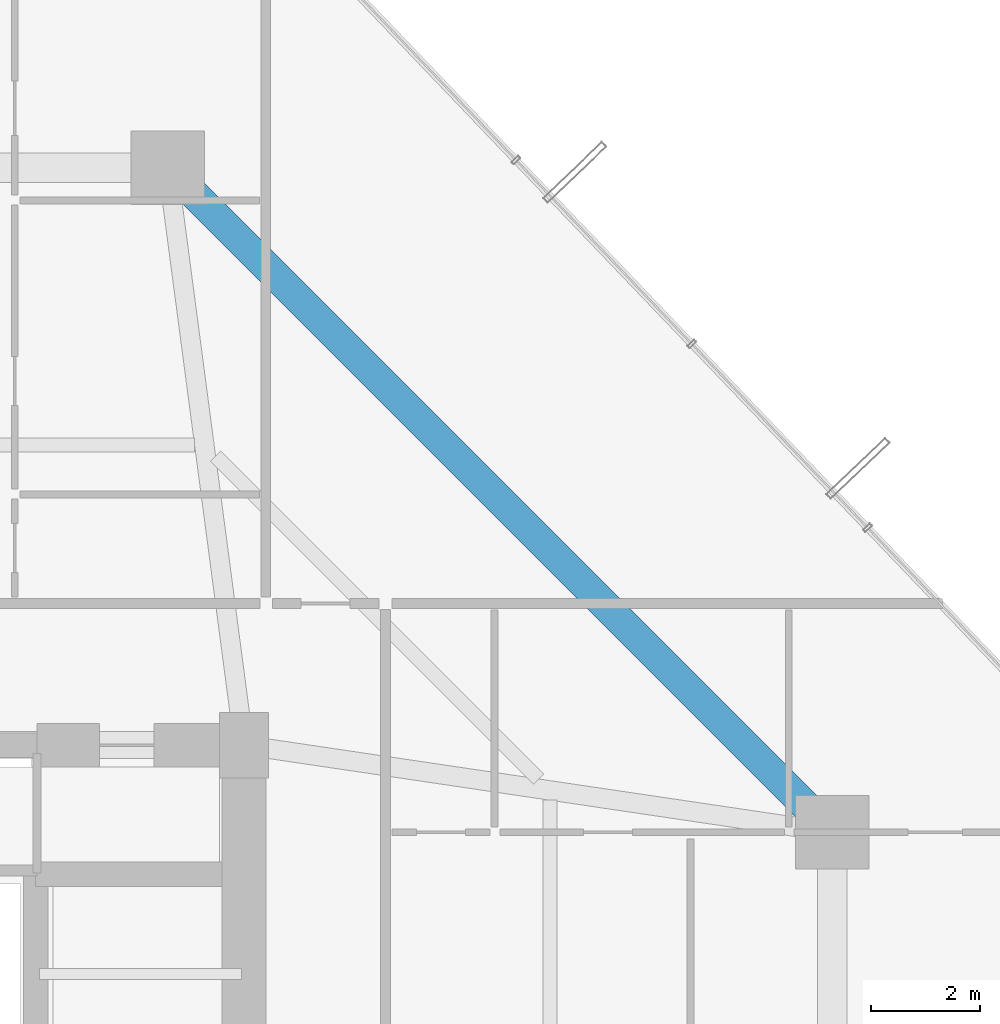
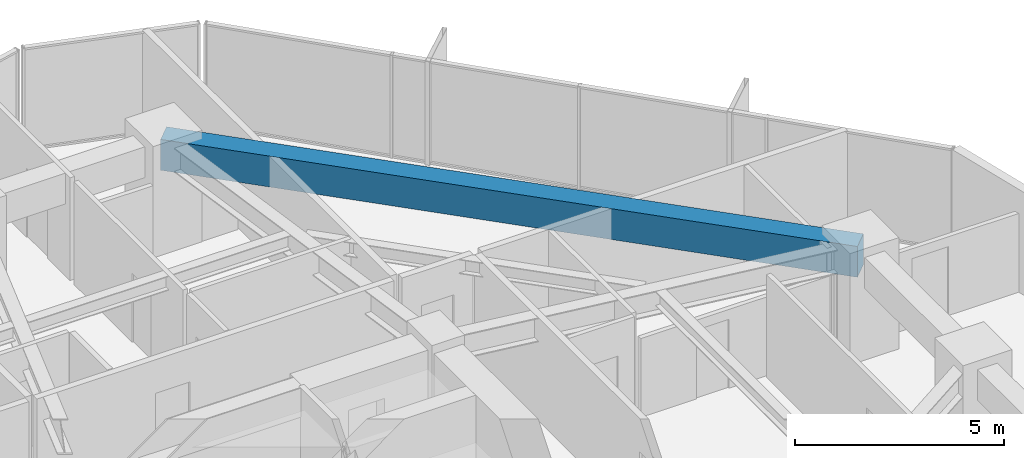
# One storey, part 27 of 37: 1 beam.
"""IFC4 building model written with IfcOpenShell, lengths in metres."""

import ifcopenshell
import ifcopenshell.guid

model = None  # the IFC model being written
_history = None  # IfcOwnerHistory: only IFC2X3 demands one
_inside = {}  # id of a spatial element -> (the spatial element, [elements in it])
_under = {}  # id of a project, library or spatial element -> (it, [spatial elements below it])
_declared = {}  # id of a project -> (the project, [libraries it declares])
_typed = {}  # id of a type object -> (the type object, [elements of that type])
_made_of = {}  # id of a material, layer set ... -> (it, [elements and type objects made of it])


def new_model(schema):
    """Start an empty IFC model of exactly this schema.

    Asked for "IFC4X3", IfcOpenShell would pick the latest addendum, in which some entities
    have other attributes; the version numbers below select the first issue.
    IFC2X3 requires an IfcOwnerHistory on every rooted entity: one is made here for all.
    """
    global model, _history
    if schema == "IFC4X3":
        model = ifcopenshell.file(schema_version=(4, 3, 0, 0))
    else:
        model = ifcopenshell.file(schema=schema)
    _inside.clear()
    _under.clear()
    _declared.clear()
    _typed.clear()
    _made_of.clear()
    _history = None
    if model.schema == "IFC2X3":
        org = make("IfcOrganization", Name="unknown")
        user = make(
            "IfcPersonAndOrganization",
            ThePerson=make("IfcPerson", FamilyName="unknown"),
            TheOrganization=org,
        )
        app = make(
            "IfcApplication",
            ApplicationDeveloper=org,
            Version="unknown",
            ApplicationFullName="unknown",
            ApplicationIdentifier="unknown",
        )
        _history = make(
            "IfcOwnerHistory",
            OwningUser=user,
            OwningApplication=app,
            ChangeAction="ADDED",
            CreationDate=0,
        )
    return model


def make(cls, **values):
    """One entity of the class cls with the attributes given. An attribute that is None is left unset."""
    return model.create_entity(
        cls, **{name: value for name, value in values.items() if value is not None}
    )


def rooted(cls, **values):
    """An entity with a GlobalId (a new one), such as an element, a storey or a relation."""
    return make(cls, GlobalId=ifcopenshell.guid.new(), OwnerHistory=_history, **values)


def si_unit(unit_type, name, prefix=None):
    """IfcSIUnit, for example si_unit("LENGTHUNIT", "METRE", prefix="MILLI")."""
    return make("IfcSIUnit", UnitType=unit_type, Prefix=prefix, Name=name)


def assignment(units):
    """IfcUnitAssignment: the units of a project."""
    return None if units is None else make("IfcUnitAssignment", Units=units)


def point(xyz):
    """IfcCartesianPoint."""
    return None if xyz is None else make("IfcCartesianPoint", Coordinates=xyz)


def direction(xyz):
    """IfcDirection."""
    return None if xyz is None else make("IfcDirection", DirectionRatios=xyz)


def frame(location, z_axis=None, x_axis=None):
    """IfcAxis2Placement3D, a coordinate frame: its origin and axes. An axis left out is left unset."""
    return make(
        "IfcAxis2Placement3D",
        Location=point(location),
        Axis=direction(z_axis),
        RefDirection=direction(x_axis),
    )


def frame_2d(location, x_axis=None):
    """IfcAxis2Placement2D, a coordinate frame in the plane: its origin and x axis."""
    return make(
        "IfcAxis2Placement2D", Location=point(location), RefDirection=direction(x_axis)
    )


def origin():
    """The frame at (0, 0, 0) with its axes left unset."""
    return frame((0.0, 0.0, 0.0))


def origin_2d():
    """The frame at (0, 0) in the plane with its x axis left unset."""
    return frame_2d((0.0, 0.0))


def place(relative_to, where):
    """IfcLocalPlacement: puts the frame where relative to a parent placement (None: the world)."""
    return make(
        "IfcLocalPlacement", PlacementRelTo=relative_to, RelativePlacement=where
    )


def context(
    kind, dimensions, precision=None, world=None, true_north=None, identifier=None
):
    """IfcGeometricRepresentationContext, for example the 3D "Model" context."""
    return make(
        "IfcGeometricRepresentationContext",
        ContextIdentifier=identifier,
        ContextType=kind,
        CoordinateSpaceDimension=dimensions,
        Precision=precision,
        WorldCoordinateSystem=world,
        TrueNorth=true_north,
    )


def subcontext(parent, identifier, kind, view, scale=None):
    """IfcGeometricRepresentationSubContext, for example "Body" below "Model"."""
    return make(
        "IfcGeometricRepresentationSubContext",
        ContextIdentifier=identifier,
        ContextType=kind,
        ParentContext=parent,
        TargetScale=scale,
        TargetView=view,
    )


def project(units=None, contexts=None):
    """IfcProject with its units and contexts."""
    return rooted(
        "IfcProject",
        Name="project",
        RepresentationContexts=contexts,
        UnitsInContext=assignment(units),
    )


def spatial(cls, under=None, at=None, **own):
    """A site, building, storey or space (cls), placed at a placement, below another one or the project."""
    s = rooted(cls, ObjectPlacement=at, **own)
    if under is not None:
        _under.setdefault(under.id(), (under, []))[1].append(s)
    return s


def profile(cls, at=None, kind="AREA", **sizes):
    """A parametric profile (cls). Its sizes go by their IFC names, for example OverallWidth=200.0."""
    return make(cls, ProfileType=kind, Position=at, **sizes)


def rectangle(**sizes):
    """IfcRectangleProfileDef."""
    return profile("IfcRectangleProfileDef", **sizes)


def extrude(swept, where, along, depth):
    """IfcExtrudedAreaSolid: the profile swept, set in the frame where, extruded along a direction by depth."""
    return make(
        "IfcExtrudedAreaSolid",
        SweptArea=swept,
        Position=where,
        ExtrudedDirection=direction(along),
        Depth=depth,
    )


def shape(context_of_items, identifier, shape_type, items):
    """IfcShapeRepresentation: the items that make up one representation, for example the "Body"."""
    return make(
        "IfcShapeRepresentation",
        ContextOfItems=context_of_items,
        RepresentationIdentifier=identifier,
        RepresentationType=shape_type,
        Items=items,
    )


def material(Name=None, Category=None):
    """IfcMaterial."""
    return make("IfcMaterial", Name=Name, Category=Category)


def material_profile(
    of_material, cross_section, Name=None, Category=None, Priority=None
):
    """IfcMaterialProfile: a cross section and its material."""
    return make(
        "IfcMaterialProfile",
        Name=Name,
        Material=of_material,
        Profile=cross_section,
        Priority=Priority,
        Category=Category,
    )


def profile_set(profiles, Name=None, composite=None):
    """IfcMaterialProfileSet."""
    return make(
        "IfcMaterialProfileSet",
        Name=Name,
        MaterialProfiles=profiles,
        CompositeProfile=composite,
    )


def made_of(thing, what):
    """Note that an element or type object is made of a material, layer set ...; save() writes the relation."""
    if what is not None:
        _made_of.setdefault(what.id(), (what, []))[1].append(thing)
    return thing


def type_object(cls, material=None, **own):
    """A type object (cls), such as IfcWallType, which elements share."""
    return made_of(rooted(cls, **own), material)


def element(
    cls,
    number,
    at=None,
    inside=None,
    cuts=None,
    type_object=None,
    material=None,
    context=None,
    identifier="Body",
    shape_type=None,
    held_by="IfcProductDefinitionShape",
    body=None,
    shapes=None,
    **own,
):
    """One element of the class cls, such as IfcWall. Its Tag is "e" and its number.

    at: its placement. inside: the storey or other place that contains it. cuts: it is an
    opening in that element (IfcRelVoidsElement). A single representation is given by context,
    identifier, shape_type and body (its items); several are given by shapes. held_by: the class
    of the entity that holds the representations. save() writes the other relations.
    """
    e = rooted(cls, Tag="e%d" % number, ObjectPlacement=at, **own)
    if body is not None:
        shapes = [shape(context, identifier, shape_type, body)]
    if shapes is not None:
        e.Representation = make(held_by, Representations=shapes)
    if inside is not None:
        _inside.setdefault(inside.id(), (inside, []))[1].append(e)
    if cuts is not None:
        rooted(
            "IfcRelVoidsElement", RelatingBuildingElement=cuts, RelatedOpeningElement=e
        )
    if type_object is not None:
        _typed.setdefault(type_object.id(), (type_object, []))[1].append(e)
    return made_of(e, material)


def aggregate(whole, parts):
    """IfcRelAggregates: a whole, such as a stair, and the parts it consists of."""
    return rooted("IfcRelAggregates", RelatingObject=whole, RelatedObjects=parts)


def save(model, path):
    """Write the relations noted so far, then the file.

    IfcRelAggregates (storeys below a building ...), IfcRelContainedInSpatialStructure (elements
    in a storey), IfcRelDefinesByType, IfcRelAssociatesMaterial and IfcRelDeclares: one each for
    every whole, place, type object, material and project.
    """
    for whole, parts in _under.values():
        aggregate(whole, parts)
    for where, things in _inside.values():
        rooted(
            "IfcRelContainedInSpatialStructure",
            RelatedElements=things,
            RelatingStructure=where,
        )
    for kind, things in _typed.values():
        rooted("IfcRelDefinesByType", RelatedObjects=things, RelatingType=kind)
    for what, things in _made_of.values():
        rooted("IfcRelAssociatesMaterial", RelatedObjects=things, RelatingMaterial=what)
    for by, libraries in _declared.values():
        rooted("IfcRelDeclares", RelatingContext=by, RelatedDefinitions=libraries)
    model.write(path)


model = new_model("IFC4")

# Units and contexts
model_context = context("Model", 3, precision=1e-05, world=origin(), true_north=direction((0.0, 1.0)))
body_context = subcontext(model_context, "Body", "Model", "MODEL_VIEW")
ifc_project = project(units=[si_unit("LENGTHUNIT", "METRE"), si_unit("AREAUNIT", "SQUARE_METRE"), si_unit("VOLUMEUNIT", "CUBIC_METRE"), si_unit("PLANEANGLEUNIT", "RADIAN"), si_unit("MASSUNIT", "GRAM", prefix="KILO")], contexts=[model_context])

# Site, building, storey
site_placement = place(None, origin())
site = spatial("IfcSite", under=ifc_project, at=site_placement, CompositionType="ELEMENT")
building_placement = place(site_placement, origin())
building = spatial("IfcBuilding", under=site, at=building_placement, Name="Veraguas Prism Commons", CompositionType="ELEMENT")
storey_placement = place(building_placement, frame((0.0, 0.0, 70.60009765625)))
storey = spatial("IfcBuildingStorey", under=building, at=storey_placement, Name="L19", CompositionType="ELEMENT", Elevation=70.60009765625)

# Beam
ifc_material = material(Name="Concrete C50/60", Category="concrete")
ifc_material_profile = material_profile(ifc_material, rectangle(XDim=0.550048828125, YDim=0.89990234375, at=origin_2d()), Name="RC550X900")
ifc_profile_set = profile_set([ifc_material_profile], Name="Concrete C50/60")
beam_type = type_object("IfcBeamType", Name="Perimeter Spandrel Lower RC 550x900", PredefinedType="SPANDREL", material=ifc_profile_set)
beam_placement = place(storey_placement, frame((41.60009765625, 29.39990234375, 2.5498046875), z_axis=(-0.707106781187, 0.707106781187, 0.0), x_axis=(-0.707106781187, -0.707106781187, 0.0)))
element("IfcBeam", 1, at=beam_placement, inside=storey, type_object=beam_type, Name="Perimeter Spandrel Beam L19-SP03", PredefinedType="SPANDREL", context=body_context, shape_type="SweptSolid", body=[
    extrude(rectangle(XDim=0.550048828125, YDim=0.89990234375, at=origin_2d()), origin(), (0.0, 0.0, 1.0), 17.253662109375),
])

save(model, "model.ifc")
